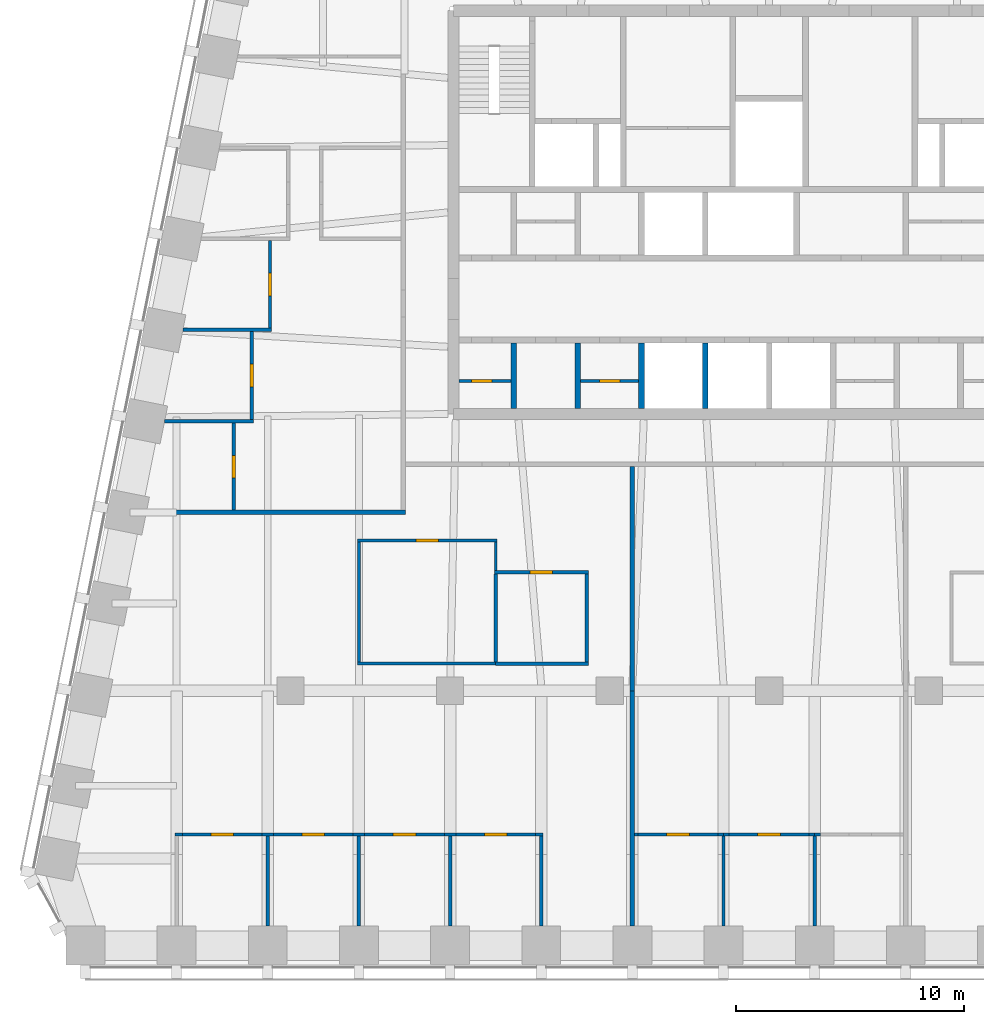
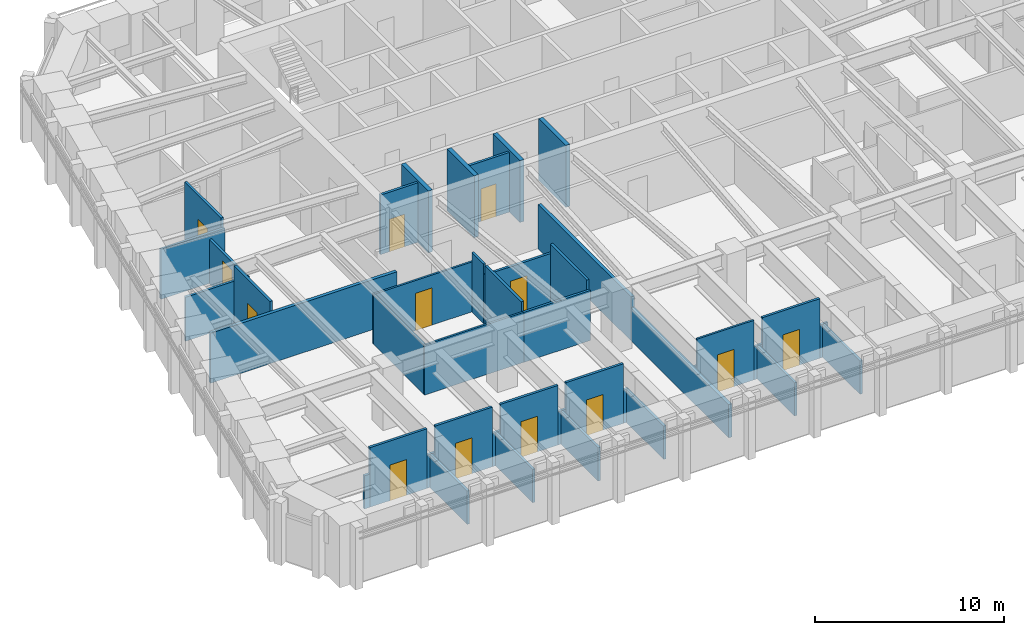
# One storey, part 6 of 12: 44 walls, 13 doors, 13 openings.
"""IFC4 building model written with IfcOpenShell, lengths in metres."""

from ifc_helpers import new_model, si_unit, direction, frame, frame_2d, origin, place, context, subcontext, project, spatial, rectangle, extrude, material, layer, layer_set, type_object, element, fill, save


model = new_model("IFC4")

# Units and contexts
model_context = context("Model", 3, precision=1e-05, world=origin(), true_north=direction((0.0, 1.0)))
body_context = subcontext(model_context, "Body", "Model", "MODEL_VIEW")
ifc_project = project(units=[si_unit("LENGTHUNIT", "METRE"), si_unit("AREAUNIT", "SQUARE_METRE"), si_unit("VOLUMEUNIT", "CUBIC_METRE"), si_unit("PLANEANGLEUNIT", "RADIAN"), si_unit("MASSUNIT", "GRAM", prefix="KILO")], contexts=[model_context])

# Site, building, storey
site_placement = place(None, origin())
site = spatial("IfcSite", under=ifc_project, at=site_placement, CompositionType="ELEMENT")
building_placement = place(site_placement, origin())
building = spatial("IfcBuilding", under=site, at=building_placement, Name="Isbrekke Arena Tower", CompositionType="ELEMENT")
storey_placement = place(building_placement, frame((0.0, 0.0, 256.0)))
storey = spatial("IfcBuildingStorey", under=building, at=storey_placement, Name="L59", CompositionType="ELEMENT", Elevation=256.0)

# Walls
ifc_material_1 = material(Name="Concrete B45 (C45/55)", Category="concrete")
ifc_layer_1 = layer(ifc_material_1, 0.25)
ifc_layer_set_1 = layer_set([ifc_layer_1], Name="CW6 SHAFT WALL 250")
wall_type_1 = type_object("IfcWallType", Name="CW6 SHAFT WALL 250", PredefinedType="SHEAR", material=ifc_layer_set_1)
for number, where, z_axis, x_axis, name in (
    (1, (-11.199951171875, 6.39990234375, 0.0), (0.0, 0.0, 1.0), (0.0, 1.0, 0.0), "Core wall SS01 L59"),
    (2, (-8.39990234375, 6.39990234375, 0.0), (0.0, 0.0, 1.0), (0.0, 1.0, 0.0), "Core wall SS02 L59"),
    (3, (-5.60009765625, 6.39990234375, 0.0), (0.0, 0.0, 1.0), (0.0, 1.0, 0.0), "Core wall SS03 L59"),
    (4, (-2.800048828125, 6.39990234375, 0.0), (0.0, 0.0, 1.0), (0.0, 1.0, 0.0), "Core wall SS04 L59"),
):
    element("IfcWall", number, at=place(storey_placement, frame(where, z_axis=z_axis, x_axis=x_axis)), inside=storey, type_object=wall_type_1, Name=name, PredefinedType="SHEAR", context=body_context, shape_type="SweptSolid", body=[
        extrude(rectangle(XDim=2.875, YDim=0.25, at=frame_2d((1.4375, 0.0))), origin(), (0.0, 0.0, 1.0), 4.0),
    ])
ifc_material_2 = material(Name="Gypsum board partition on steel studs", Category="steel")
ifc_layer_2 = layer(ifc_material_2, 0.14990234375)
ifc_layer_set_2 = layer_set([ifc_layer_2], Name="IW1 PARTITION 150")
wall_type_2 = type_object("IfcWallType", Name="IW1 PARTITION 150", PredefinedType="PARTITIONING", material=ifc_layer_set_2)
wall_1_placement = place(storey_placement, frame((-26.074951171875, -12.300048828125, 0.0), z_axis=(0.0, 0.0, 1.0), x_axis=(1.0, 0.0, 0.0)))
element("IfcWall", 5, at=wall_1_placement, inside=storey, type_object=wall_type_2, Name="IW1 partition 150 L59", PredefinedType="PARTITIONING", context=body_context, shape_type="SweptSolid", body=[
    extrude(rectangle(XDim=0.324951171875, YDim=0.14990234375, at=frame_2d((0.16259765625, 0.0))), origin(), (0.0, 0.0, 1.0), 2.14990234375),
])

# Wall, opening, door
wall_2_placement = place(storey_placement, frame((-25.75, -12.300048828125, 0.0), z_axis=(0.0, 0.0, 1.0), x_axis=(1.0, 0.0, 0.0)))
wall_2 = element("IfcWall", 6, at=wall_2_placement, inside=storey, type_object=wall_type_2, Name="IW1 partition 150 L59", PredefinedType="PARTITIONING", context=body_context, shape_type="SweptSolid", body=[
    extrude(rectangle(XDim=3.5, YDim=0.14990234375, at=frame_2d((1.75, 0.0))), origin(), (0.0, 0.0, 1.0), 3.85009765625),
])
opening_1_placement = place(wall_2_placement, frame((1.25, 0.0, 0.0)))
opening_1 = element("IfcOpeningElement", 7, at=opening_1_placement, cuts=wall_2, Name="Opening D10", PredefinedType="OPENING", context=body_context, shape_type="SweptSolid", body=[
    extrude(rectangle(XDim=1.0, YDim=2.300048828125, at=frame_2d((0.5, 1.14990234375))), frame((0.0, 0.08984375, 0.0), z_axis=(0.0, -1.0, 0.0), x_axis=(1.0, 0.0, 0.0)), (0.0, 0.0, 1.0), 0.1796875),
])
ifc_material_3 = material(Name="Timber door", Category="wood")
door_type_1 = type_object("IfcDoorType", Name="D10 OFFICE DOOR 1000 x 2300", OperationType="SINGLE_SWING_LEFT", PredefinedType="DOOR", material=ifc_material_3)
door_1_placement = place(opening_1_placement, origin())
door_1 = element("IfcDoor", 8, at=door_1_placement, inside=storey, type_object=door_type_1, Name="D10 office door L59", OperationType="SINGLE_SWING_LEFT", OverallHeight=2.300048828125, OverallWidth=1.0, PredefinedType="DOOR", context=body_context, shape_type="SweptSolid", body=[
    extrude(rectangle(XDim=1.0, YDim=2.300048828125, at=frame_2d((0.5, 1.14990234375))), frame((0.0, 0.07470703125, 0.0), z_axis=(0.0, -1.0, 0.0), x_axis=(1.0, 0.0, 0.0)), (0.0, 0.0, 1.0), 0.1494140625),
])
fill(opening_1, door_1)

# Wall
wall_3_placement = place(storey_placement, frame((-22.25, -12.300048828125, 0.0), z_axis=(0.0, 0.0, 1.0), x_axis=(1.0, 0.0, 0.0)))
element("IfcWall", 9, at=wall_3_placement, inside=storey, type_object=wall_type_2, Name="IW1 partition 150 L59", PredefinedType="PARTITIONING", context=body_context, shape_type="SweptSolid", body=[
    extrude(rectangle(XDim=0.5, YDim=0.14990234375, at=frame_2d((0.25, 0.0))), origin(), (0.0, 0.0, 1.0), 2.14990234375),
])

# Wall, opening, door
wall_4_placement = place(storey_placement, frame((-21.75, -12.300048828125, 0.0), z_axis=(0.0, 0.0, 1.0), x_axis=(1.0, 0.0, 0.0)))
wall_4 = element("IfcWall", 10, at=wall_4_placement, inside=storey, type_object=wall_type_2, Name="IW1 partition 150 L59", PredefinedType="PARTITIONING", context=body_context, shape_type="SweptSolid", body=[
    extrude(rectangle(XDim=3.5, YDim=0.14990234375, at=frame_2d((1.75, 0.0))), origin(), (0.0, 0.0, 1.0), 3.85009765625),
])
opening_2_placement = place(wall_4_placement, frame((1.25, 0.0, 0.0)))
opening_2 = element("IfcOpeningElement", 11, at=opening_2_placement, cuts=wall_4, Name="Opening D10", PredefinedType="OPENING", context=body_context, shape_type="SweptSolid", body=[
    extrude(rectangle(XDim=1.0, YDim=2.300048828125, at=frame_2d((0.5, 1.14990234375))), frame((0.0, 0.08984375, 0.0), z_axis=(0.0, -1.0, 0.0), x_axis=(1.0, 0.0, 0.0)), (0.0, 0.0, 1.0), 0.1796875),
])
door_2_placement = place(opening_2_placement, origin())
door_2 = element("IfcDoor", 12, at=door_2_placement, inside=storey, type_object=door_type_1, Name="D10 office door L59", OperationType="SINGLE_SWING_LEFT", OverallHeight=2.300048828125, OverallWidth=1.0, PredefinedType="DOOR", context=body_context, shape_type="SweptSolid", body=[
    extrude(rectangle(XDim=1.0, YDim=2.300048828125, at=frame_2d((0.5, 1.14990234375))), frame((0.0, 0.07470703125, 0.0), z_axis=(0.0, -1.0, 0.0), x_axis=(1.0, 0.0, 0.0)), (0.0, 0.0, 1.0), 0.1494140625),
])
fill(opening_2, door_2)

# Wall
wall_5_placement = place(storey_placement, frame((-18.25, -12.300048828125, 0.0), z_axis=(0.0, 0.0, 1.0), x_axis=(1.0, 0.0, 0.0)))
element("IfcWall", 13, at=wall_5_placement, inside=storey, type_object=wall_type_2, Name="IW1 partition 150 L59", PredefinedType="PARTITIONING", context=body_context, shape_type="SweptSolid", body=[
    extrude(rectangle(XDim=0.5, YDim=0.14990234375, at=frame_2d((0.25, 0.0))), origin(), (0.0, 0.0, 1.0), 2.14990234375),
])

# Wall, opening, door
wall_6_placement = place(storey_placement, frame((-17.75, -12.300048828125, 0.0), z_axis=(0.0, 0.0, 1.0), x_axis=(1.0, 0.0, 0.0)))
wall_6 = element("IfcWall", 14, at=wall_6_placement, inside=storey, type_object=wall_type_2, Name="IW1 partition 150 L59", PredefinedType="PARTITIONING", context=body_context, shape_type="SweptSolid", body=[
    extrude(rectangle(XDim=3.5, YDim=0.14990234375, at=frame_2d((1.75, 0.0))), origin(), (0.0, 0.0, 1.0), 3.85009765625),
])
opening_3_placement = place(wall_6_placement, frame((1.25, 0.0, 0.0)))
opening_3 = element("IfcOpeningElement", 15, at=opening_3_placement, cuts=wall_6, Name="Opening D10", PredefinedType="OPENING", context=body_context, shape_type="SweptSolid", body=[
    extrude(rectangle(XDim=1.0, YDim=2.300048828125, at=frame_2d((0.5, 1.14990234375))), frame((0.0, 0.08984375, 0.0), z_axis=(0.0, -1.0, 0.0), x_axis=(1.0, 0.0, 0.0)), (0.0, 0.0, 1.0), 0.1796875),
])
door_3_placement = place(opening_3_placement, origin())
door_3 = element("IfcDoor", 16, at=door_3_placement, inside=storey, type_object=door_type_1, Name="D10 office door L59", OperationType="SINGLE_SWING_LEFT", OverallHeight=2.300048828125, OverallWidth=1.0, PredefinedType="DOOR", context=body_context, shape_type="SweptSolid", body=[
    extrude(rectangle(XDim=1.0, YDim=2.300048828125, at=frame_2d((0.5, 1.14990234375))), frame((0.0, 0.07470703125, 0.0), z_axis=(0.0, -1.0, 0.0), x_axis=(1.0, 0.0, 0.0)), (0.0, 0.0, 1.0), 0.1494140625),
])
fill(opening_3, door_3)

# Wall
wall_7_placement = place(storey_placement, frame((-14.25, -12.300048828125, 0.0), z_axis=(0.0, 0.0, 1.0), x_axis=(1.0, 0.0, 0.0)))
element("IfcWall", 17, at=wall_7_placement, inside=storey, type_object=wall_type_2, Name="IW1 partition 150 L59", PredefinedType="PARTITIONING", context=body_context, shape_type="SweptSolid", body=[
    extrude(rectangle(XDim=0.5, YDim=0.14990234375, at=frame_2d((0.25, 0.0))), origin(), (0.0, 0.0, 1.0), 2.14990234375),
])

# Wall, opening, door
wall_8_placement = place(storey_placement, frame((-13.75, -12.300048828125, 0.0), z_axis=(0.0, 0.0, 1.0), x_axis=(1.0, 0.0, 0.0)))
wall_8 = element("IfcWall", 18, at=wall_8_placement, inside=storey, type_object=wall_type_2, Name="IW1 partition 150 L59", PredefinedType="PARTITIONING", context=body_context, shape_type="SweptSolid", body=[
    extrude(rectangle(XDim=3.5, YDim=0.14990234375, at=frame_2d((1.75, 0.0))), origin(), (0.0, 0.0, 1.0), 3.85009765625),
])
opening_4_placement = place(wall_8_placement, frame((1.25, 0.0, 0.0)))
opening_4 = element("IfcOpeningElement", 19, at=opening_4_placement, cuts=wall_8, Name="Opening D10", PredefinedType="OPENING", context=body_context, shape_type="SweptSolid", body=[
    extrude(rectangle(XDim=1.0, YDim=2.300048828125, at=frame_2d((0.5, 1.14990234375))), frame((0.0, 0.08984375, 0.0), z_axis=(0.0, -1.0, 0.0), x_axis=(1.0, 0.0, 0.0)), (0.0, 0.0, 1.0), 0.1796875),
])
door_4_placement = place(opening_4_placement, origin())
door_4 = element("IfcDoor", 20, at=door_4_placement, inside=storey, type_object=door_type_1, Name="D10 office door L59", OperationType="SINGLE_SWING_LEFT", OverallHeight=2.300048828125, OverallWidth=1.0, PredefinedType="DOOR", context=body_context, shape_type="SweptSolid", body=[
    extrude(rectangle(XDim=1.0, YDim=2.300048828125, at=frame_2d((0.5, 1.14990234375))), frame((0.0, 0.07470703125, 0.0), z_axis=(0.0, -1.0, 0.0), x_axis=(1.0, 0.0, 0.0)), (0.0, 0.0, 1.0), 0.1494140625),
])
fill(opening_4, door_4)

# Walls
wall_9_placement = place(storey_placement, frame((-10.25, -12.300048828125, 0.0), z_axis=(0.0, 0.0, 1.0), x_axis=(1.0, 0.0, 0.0)))
element("IfcWall", 21, at=wall_9_placement, inside=storey, type_object=wall_type_2, Name="IW1 partition 150 L59", PredefinedType="PARTITIONING", context=body_context, shape_type="SweptSolid", body=[
    extrude(rectangle(XDim=0.324951171875, YDim=0.14990234375, at=frame_2d((0.16259765625, 0.0))), origin(), (0.0, 0.0, 1.0), 2.14990234375),
])
wall_10_placement = place(storey_placement, frame((-2.0, -12.300048828125, 0.0), z_axis=(0.0, 0.0, 1.0), x_axis=(1.0, 0.0, 0.0)))
element("IfcWall", 22, at=wall_10_placement, inside=storey, type_object=wall_type_2, Name="IW1 partition 150 L59", PredefinedType="PARTITIONING", context=body_context, shape_type="SweptSolid", body=[
    extrude(rectangle(XDim=0.25, YDim=0.14990234375, at=frame_2d((0.125, 0.0))), origin(), (0.0, 0.0, 1.0), 2.14990234375),
])

# Wall, opening, door
wall_11_placement = place(storey_placement, frame((-1.75, -12.300048828125, 0.0), z_axis=(0.0, 0.0, 1.0), x_axis=(1.0, 0.0, 0.0)))
wall_11 = element("IfcWall", 23, at=wall_11_placement, inside=storey, type_object=wall_type_2, Name="IW1 partition 150 L59", PredefinedType="PARTITIONING", context=body_context, shape_type="SweptSolid", body=[
    extrude(rectangle(XDim=3.5, YDim=0.14990234375, at=frame_2d((1.75, 0.0))), origin(), (0.0, 0.0, 1.0), 3.85009765625),
])
opening_5_placement = place(wall_11_placement, frame((1.25, 0.0, 0.0)))
opening_5 = element("IfcOpeningElement", 24, at=opening_5_placement, cuts=wall_11, Name="Opening D10", PredefinedType="OPENING", context=body_context, shape_type="SweptSolid", body=[
    extrude(rectangle(XDim=1.0, YDim=2.300048828125, at=frame_2d((0.5, 1.14990234375))), frame((0.0, 0.08984375, 0.0), z_axis=(0.0, -1.0, 0.0), x_axis=(1.0, 0.0, 0.0)), (0.0, 0.0, 1.0), 0.1796875),
])
door_5_placement = place(opening_5_placement, origin())
door_5 = element("IfcDoor", 25, at=door_5_placement, inside=storey, type_object=door_type_1, Name="D10 pantry door L59", OperationType="SINGLE_SWING_LEFT", OverallHeight=2.300048828125, OverallWidth=1.0, PredefinedType="DOOR", context=body_context, shape_type="SweptSolid", body=[
    extrude(rectangle(XDim=1.0, YDim=2.300048828125, at=frame_2d((0.5, 1.14990234375))), frame((0.0, 0.07470703125, 0.0), z_axis=(0.0, -1.0, 0.0), x_axis=(1.0, 0.0, 0.0)), (0.0, 0.0, 1.0), 0.1494140625),
])
fill(opening_5, door_5)

# Walls
wall_12_placement = place(storey_placement, frame((1.75, -12.300048828125, 0.0), z_axis=(0.0, 0.0, 1.0), x_axis=(1.0, 0.0, 0.0)))
element("IfcWall", 26, at=wall_12_placement, inside=storey, type_object=wall_type_2, Name="IW1 partition 150 L59", PredefinedType="PARTITIONING", context=body_context, shape_type="SweptSolid", body=[
    extrude(rectangle(XDim=0.25, YDim=0.14990234375, at=frame_2d((0.125, 0.0))), origin(), (0.0, 0.0, 1.0), 2.14990234375),
])
wall_13_placement = place(storey_placement, frame((-12.0, -4.800048828125, 0.0), z_axis=(0.0, 0.0, 1.0), x_axis=(1.0, 0.0, 0.0)))
element("IfcWall", 27, at=wall_13_placement, inside=storey, type_object=wall_type_2, Name="IW1 partition 150 L59", PredefinedType="PARTITIONING", context=body_context, shape_type="SweptSolid", body=[
    extrude(rectangle(XDim=4.074951171875, YDim=0.14990234375, at=frame_2d((2.03759765625, 0.0))), origin(), (0.0, 0.0, 1.0), 3.22998046875),
])

# Wall, opening, door
wall_14_placement = place(storey_placement, frame((-12.06005859375, -0.800048828125, 0.0), z_axis=(0.0, 0.0, 1.0), x_axis=(1.0, 0.0, 0.0)))
wall_14 = element("IfcWall", 28, at=wall_14_placement, inside=storey, type_object=wall_type_2, Name="IW1 partition 150 L59", PredefinedType="PARTITIONING", context=body_context, shape_type="SweptSolid", body=[
    extrude(rectangle(XDim=4.135009765625, YDim=0.14990234375, at=frame_2d((2.0673828125, 0.0))), origin(), (0.0, 0.0, 1.0), 3.22998046875),
])
opening_6_placement = place(wall_14_placement, frame((1.56005859375, 0.0, 0.0)))
opening_6 = element("IfcOpeningElement", 29, at=opening_6_placement, cuts=wall_14, Name="Opening D10", PredefinedType="OPENING", context=body_context, shape_type="SweptSolid", body=[
    extrude(rectangle(XDim=1.0, YDim=2.300048828125, at=frame_2d((0.5, 1.14990234375))), frame((0.0, 0.08984375, 0.0), z_axis=(0.0, -1.0, 0.0), x_axis=(1.0, 0.0, 0.0)), (0.0, 0.0, 1.0), 0.1796875),
])
door_6_placement = place(opening_6_placement, origin())
door_6 = element("IfcDoor", 30, at=door_6_placement, inside=storey, type_object=door_type_1, Name="D10 tea point door L59", OperationType="SINGLE_SWING_LEFT", OverallHeight=2.300048828125, OverallWidth=1.0, PredefinedType="DOOR", context=body_context, shape_type="SweptSolid", body=[
    extrude(rectangle(XDim=1.0, YDim=2.300048828125, at=frame_2d((0.5, 1.14990234375))), frame((0.0, 0.07470703125, 0.0), z_axis=(0.0, -1.0, 0.0), x_axis=(1.0, 0.0, 0.0)), (0.0, 0.0, 1.0), 0.1494140625),
])
fill(opening_6, door_6)

# Walls
wall_15_placement = place(storey_placement, frame((-26.523681640625, 5.840087890625, 0.0), z_axis=(0.0, 0.0, 1.0), x_axis=(1.0, 0.0, 0.0)))
element("IfcWall", 31, at=wall_15_placement, inside=storey, type_object=wall_type_2, Name="IW1 partition 150 L59", PredefinedType="PARTITIONING", context=body_context, shape_type="SweptSolid", body=[
    extrude(rectangle(XDim=3.898681640625, YDim=0.14990234375, at=frame_2d((1.94921875, 0.0))), origin(), (0.0, 0.0, 1.0), 2.842041015625),
])
wall_16_placement = place(storey_placement, frame((-25.723876953125, 9.840087890625, 0.0), z_axis=(0.0, 0.0, 1.0), x_axis=(1.0, 0.0, 0.0)))
element("IfcWall", 32, at=wall_16_placement, inside=storey, type_object=wall_type_2, Name="IW1 partition 150 L59", PredefinedType="PARTITIONING", context=body_context, shape_type="SweptSolid", body=[
    extrude(rectangle(XDim=3.89892578125, YDim=0.14990234375, at=frame_2d((1.949462890625, 0.0))), origin(), (0.0, 0.0, 1.0), 3.22998046875),
])

# Wall, opening, door
wall_17_placement = place(storey_placement, frame((-23.5, 1.93994140625, 0.0), z_axis=(0.0, 0.0, 1.0), x_axis=(0.0, 1.0, 0.0)))
wall_17 = element("IfcWall", 33, at=wall_17_placement, inside=storey, type_object=wall_type_2, Name="IW1 partition 150 L59", PredefinedType="PARTITIONING", context=body_context, shape_type="SweptSolid", body=[
    extrude(rectangle(XDim=3.824951171875, YDim=0.14990234375, at=frame_2d((1.91259765625, 0.0))), origin(), (0.0, 0.0, 1.0), 3.85009765625),
])
opening_7_placement = place(wall_17_placement, frame((1.39990234375, 0.0, 0.0)))
opening_7 = element("IfcOpeningElement", 34, at=opening_7_placement, cuts=wall_17, Name="Opening D10", PredefinedType="OPENING", context=body_context, shape_type="SweptSolid", body=[
    extrude(rectangle(XDim=1.0, YDim=2.300048828125, at=frame_2d((0.5, 1.14990234375))), frame((0.0, 0.08984375, 0.0), z_axis=(0.0, -1.0, 0.0), x_axis=(1.0, 0.0, 0.0)), (0.0, 0.0, 1.0), 0.1796875),
])
door_7_placement = place(opening_7_placement, origin())
door_7 = element("IfcDoor", 35, at=door_7_placement, inside=storey, type_object=door_type_1, Name="D10 office door L59", OperationType="SINGLE_SWING_LEFT", OverallHeight=2.300048828125, OverallWidth=1.0, PredefinedType="DOOR", context=body_context, shape_type="SweptSolid", body=[
    extrude(rectangle(XDim=1.0, YDim=2.300048828125, at=frame_2d((0.5, 1.14990234375))), frame((0.0, 0.07470703125, 0.0), z_axis=(0.0, -1.0, 0.0), x_axis=(1.0, 0.0, 0.0)), (0.0, 0.0, 1.0), 0.1494140625),
])
fill(opening_7, door_7)

wall_18_placement = place(storey_placement, frame((-22.699951171875, 5.9150390625, 0.0), z_axis=(0.0, 0.0, 1.0), x_axis=(0.0, 1.0, 0.0)))
wall_18 = element("IfcWall", 36, at=wall_18_placement, inside=storey, type_object=wall_type_2, Name="IW1 partition 150 L59", PredefinedType="PARTITIONING", context=body_context, shape_type="SweptSolid", body=[
    extrude(rectangle(XDim=3.849853515625, YDim=0.14990234375, at=frame_2d((1.9248046875, 0.0))), origin(), (0.0, 0.0, 1.0), 2.842041015625),
])
opening_8_placement = place(wall_18_placement, frame((1.425048828125, 0.0, 0.0)))
opening_8 = element("IfcOpeningElement", 37, at=opening_8_placement, cuts=wall_18, Name="Opening D10", PredefinedType="OPENING", context=body_context, shape_type="SweptSolid", body=[
    extrude(rectangle(XDim=1.0, YDim=2.300048828125, at=frame_2d((0.5, 1.14990234375))), frame((0.0, 0.08984375, 0.0), z_axis=(0.0, -1.0, 0.0), x_axis=(1.0, 0.0, 0.0)), (0.0, 0.0, 1.0), 0.1796875),
])
door_8_placement = place(opening_8_placement, origin())
door_8 = element("IfcDoor", 38, at=door_8_placement, inside=storey, type_object=door_type_1, Name="D10 office door L59", OperationType="SINGLE_SWING_LEFT", OverallHeight=2.300048828125, OverallWidth=1.0, PredefinedType="DOOR", context=body_context, shape_type="SweptSolid", body=[
    extrude(rectangle(XDim=1.0, YDim=2.300048828125, at=frame_2d((0.5, 1.14990234375))), frame((0.0, 0.07470703125, 0.0), z_axis=(0.0, -1.0, 0.0), x_axis=(1.0, 0.0, 0.0)), (0.0, 0.0, 1.0), 0.1494140625),
])
fill(opening_8, door_8)

# Wall
wall_19_placement = place(storey_placement, frame((-22.0, -16.324951171875, 0.0), z_axis=(0.0, 0.0, 1.0), x_axis=(0.0, 1.0, 0.0)))
element("IfcWall", 39, at=wall_19_placement, inside=storey, type_object=wall_type_2, Name="IW1 partition 150 L59", PredefinedType="PARTITIONING", context=body_context, shape_type="SweptSolid", body=[
    extrude(rectangle(XDim=3.949951171875, YDim=0.14990234375, at=frame_2d((1.97509765625, 0.0))), origin(), (0.0, 0.0, 1.0), 2.14990234375),
])

# Wall, opening, door
wall_20_placement = place(storey_placement, frame((-21.89990234375, 9.9150390625, 0.0), z_axis=(0.0, 0.0, 1.0), x_axis=(0.0, 1.0, 0.0)))
wall_20 = element("IfcWall", 40, at=wall_20_placement, inside=storey, type_object=wall_type_2, Name="IW1 partition 150 L59", PredefinedType="PARTITIONING", context=body_context, shape_type="SweptSolid", body=[
    extrude(rectangle(XDim=3.849853515625, YDim=0.14990234375, at=frame_2d((1.9248046875, 0.0))), origin(), (0.0, 0.0, 1.0), 3.85009765625),
])
opening_9_placement = place(wall_20_placement, frame((1.425048828125, 0.0, 0.0)))
opening_9 = element("IfcOpeningElement", 41, at=opening_9_placement, cuts=wall_20, Name="Opening D10", PredefinedType="OPENING", context=body_context, shape_type="SweptSolid", body=[
    extrude(rectangle(XDim=1.0, YDim=2.300048828125, at=frame_2d((0.5, 1.14990234375))), frame((0.0, 0.08984375, 0.0), z_axis=(0.0, -1.0, 0.0), x_axis=(1.0, 0.0, 0.0)), (0.0, 0.0, 1.0), 0.1796875),
])
door_9_placement = place(opening_9_placement, origin())
door_9 = element("IfcDoor", 42, at=door_9_placement, inside=storey, type_object=door_type_1, Name="D10 office door L59", OperationType="SINGLE_SWING_LEFT", OverallHeight=2.300048828125, OverallWidth=1.0, PredefinedType="DOOR", context=body_context, shape_type="SweptSolid", body=[
    extrude(rectangle(XDim=1.0, YDim=2.300048828125, at=frame_2d((0.5, 1.14990234375))), frame((0.0, 0.07470703125, 0.0), z_axis=(0.0, -1.0, 0.0), x_axis=(1.0, 0.0, 0.0)), (0.0, 0.0, 1.0), 0.1494140625),
])
fill(opening_9, door_9)

# Walls
for number, where, z_axis, x_axis, name in (
    (43, (-18.0, -16.324951171875, 0.0), (0.0, 0.0, 1.0), (0.0, 1.0, 0.0), "IW1 partition 150 L59"),
    (44, (-14.0, -16.324951171875, 0.0), (0.0, 0.0, 1.0), (0.0, 1.0, 0.0), "IW1 partition 150 L59"),
):
    element("IfcWall", number, at=place(storey_placement, frame(where, z_axis=z_axis, x_axis=x_axis)), inside=storey, type_object=wall_type_2, Name=name, PredefinedType="PARTITIONING", context=body_context, shape_type="SweptSolid", body=[
        extrude(rectangle(XDim=3.949951171875, YDim=0.14990234375, at=frame_2d((1.97509765625, 0.0))), origin(), (0.0, 0.0, 1.0), 2.14990234375),
    ])
wall_21_placement = place(storey_placement, frame((-12.0, -4.72509765625, 0.0), z_axis=(0.0, 0.0, 1.0), x_axis=(0.0, 1.0, 0.0)))
element("IfcWall", 45, at=wall_21_placement, inside=storey, type_object=wall_type_2, Name="IW1 partition 150 L59", PredefinedType="PARTITIONING", context=body_context, shape_type="SweptSolid", body=[
    extrude(rectangle(XDim=3.85009765625, YDim=0.14990234375, at=frame_2d((1.925048828125, 0.0))), origin(), (0.0, 0.0, 1.0), 3.85009765625),
])
wall_22_placement = place(storey_placement, frame((-10.0, -16.324951171875, 0.0), z_axis=(0.0, 0.0, 1.0), x_axis=(0.0, 1.0, 0.0)))
element("IfcWall", 46, at=wall_22_placement, inside=storey, type_object=wall_type_2, Name="IW1 partition 150 L59", PredefinedType="PARTITIONING", context=body_context, shape_type="SweptSolid", body=[
    extrude(rectangle(XDim=3.949951171875, YDim=0.14990234375, at=frame_2d((1.97509765625, 0.0))), origin(), (0.0, 0.0, 1.0), 2.14990234375),
])
wall_23_placement = place(storey_placement, frame((-8.0, -4.72509765625, 0.0), z_axis=(0.0, 0.0, 1.0), x_axis=(0.0, 1.0, 0.0)))
element("IfcWall", 47, at=wall_23_placement, inside=storey, type_object=wall_type_2, Name="IW1 partition 150 L59", PredefinedType="PARTITIONING", context=body_context, shape_type="SweptSolid", body=[
    extrude(rectangle(XDim=3.85009765625, YDim=0.14990234375, at=frame_2d((1.925048828125, 0.0))), origin(), (0.0, 0.0, 1.0), 3.85009765625),
])
for number, where, z_axis, x_axis, name in (
    (48, (-2.0, -16.324951171875, 0.0), (0.0, 0.0, 1.0), (0.0, 1.0, 0.0), "IW1 partition 150 L59"),
    (49, (2.0, -16.324951171875, 0.0), (0.0, 0.0, 1.0), (0.0, 1.0, 0.0), "IW1 partition 150 L59"),
):
    element("IfcWall", number, at=place(storey_placement, frame(where, z_axis=z_axis, x_axis=x_axis)), inside=storey, type_object=wall_type_2, Name=name, PredefinedType="PARTITIONING", context=body_context, shape_type="SweptSolid", body=[
        extrude(rectangle(XDim=3.949951171875, YDim=0.14990234375, at=frame_2d((1.97509765625, 0.0))), origin(), (0.0, 0.0, 1.0), 2.14990234375),
    ])
ifc_material_4 = material(Name="Frameless glazed partition, laminated acoustic glass", Category="glass")
ifc_layer_3 = layer(ifc_material_4, 0.1201171875)
ifc_layer_set_3 = layer_set([ifc_layer_3], Name="IW2 GLAZED PARTITION 120")
wall_type_3 = type_object("IfcWallType", Name="IW2 GLAZED PARTITION 120", PredefinedType="PARTITIONING", material=ifc_layer_set_3)
wall_24_placement = place(storey_placement, frame((-5.89990234375, -12.300048828125, 0.0), z_axis=(0.0, 0.0, 1.0), x_axis=(1.0, 0.0, 0.0)))
element("IfcWall", 50, at=wall_24_placement, inside=storey, type_object=wall_type_3, Name="IW2 glazed partition 120 L59", PredefinedType="PARTITIONING", context=body_context, shape_type="SweptSolid", body=[
    extrude(rectangle(XDim=0.14990234375, YDim=0.1201171875, at=frame_2d((0.074951171875, 0.0))), origin(), (0.0, 0.0, 1.0), 2.14990234375),
])

# Wall, opening, door
wall_25_placement = place(storey_placement, frame((-5.75, -12.300048828125, 0.0), z_axis=(0.0, 0.0, 1.0), x_axis=(1.0, 0.0, 0.0)))
wall_25 = element("IfcWall", 51, at=wall_25_placement, inside=storey, type_object=wall_type_3, Name="IW2 glazed partition 120 L59", PredefinedType="PARTITIONING", context=body_context, shape_type="SweptSolid", body=[
    extrude(rectangle(XDim=3.5, YDim=0.1201171875, at=frame_2d((1.75, 0.0))), origin(), (0.0, 0.0, 1.0), 3.85009765625),
])
opening_10_placement = place(wall_25_placement, frame((1.25, 0.0, 0.0)))
opening_10 = element("IfcOpeningElement", 52, at=opening_10_placement, cuts=wall_25, Name="Opening D11", PredefinedType="OPENING", context=body_context, shape_type="SweptSolid", body=[
    extrude(rectangle(XDim=1.0, YDim=2.39990234375, at=frame_2d((0.5, 1.199951171875))), frame((0.0, 0.074951171875, 0.0), z_axis=(0.0, -1.0, 0.0), x_axis=(1.0, 0.0, 0.0)), (0.0, 0.0, 1.0), 0.14990234375),
])
ifc_material_5 = material(Name="Frameless glazed door", Category="glass")
door_type_2 = type_object("IfcDoorType", Name="D11 GLAZED MEETING ROOM DOOR 1000 x 2400", OperationType="SINGLE_SWING_RIGHT", PredefinedType="DOOR", material=ifc_material_5)
door_10_placement = place(opening_10_placement, origin())
door_10 = element("IfcDoor", 53, at=door_10_placement, inside=storey, type_object=door_type_2, Name="D11 meeting room door L59", OperationType="SINGLE_SWING_RIGHT", OverallHeight=2.39990234375, OverallWidth=1.0, PredefinedType="DOOR", context=body_context, shape_type="SweptSolid", body=[
    extrude(rectangle(XDim=1.0, YDim=2.39990234375, at=frame_2d((0.5, 1.199951171875))), frame((0.0, 0.059814453125, 0.0), z_axis=(0.0, -1.0, 0.0), x_axis=(1.0, 0.0, 0.0)), (0.0, 0.0, 1.0), 0.11962890625),
])
fill(opening_10, door_10)

# Walls
for number, where, z_axis, x_axis, name in (
    (54, (-2.25, -12.300048828125, 0.0), (0.0, 0.0, 1.0), (1.0, 0.0, 0.0), "IW2 glazed partition 120 L59"),
    (55, (2.0, -12.300048828125, 0.0), (0.0, 0.0, 1.0), (1.0, 0.0, 0.0), "IW2 glazed partition 120 L59"),
):
    element("IfcWall", number, at=place(storey_placement, frame(where, z_axis=z_axis, x_axis=x_axis)), inside=storey, type_object=wall_type_3, Name=name, PredefinedType="PARTITIONING", context=body_context, shape_type="SweptSolid", body=[
        extrude(rectangle(XDim=0.25, YDim=0.1201171875, at=frame_2d((0.125, 0.0))), origin(), (0.0, 0.0, 1.0), 2.14990234375),
    ])
wall_26_placement = place(storey_placement, frame((-18.06005859375, -4.800048828125, 0.0), z_axis=(0.0, 0.0, 1.0), x_axis=(1.0, 0.0, 0.0)))
element("IfcWall", 56, at=wall_26_placement, inside=storey, type_object=wall_type_3, Name="IW2 glazed partition 120 L59", PredefinedType="PARTITIONING", context=body_context, shape_type="SweptSolid", body=[
    extrude(rectangle(XDim=6.06005859375, YDim=0.1201171875, at=frame_2d((3.030029296875, 0.0))), origin(), (0.0, 0.0, 1.0), 3.22998046875),
])

# Wall, opening, door
wall_27_placement = place(storey_placement, frame((-18.06005859375, 0.60009765625, 0.0), z_axis=(0.0, 0.0, 1.0), x_axis=(1.0, 0.0, 0.0)))
wall_27 = element("IfcWall", 57, at=wall_27_placement, inside=storey, type_object=wall_type_3, Name="IW2 glazed partition 120 L59", PredefinedType="PARTITIONING", context=body_context, shape_type="SweptSolid", body=[
    extrude(rectangle(XDim=6.1201171875, YDim=0.1201171875, at=frame_2d((3.06005859375, 0.0))), origin(), (0.0, 0.0, 1.0), 3.22998046875),
])
opening_11_placement = place(wall_27_placement, frame((2.56005859375, 0.0, 0.0)))
opening_11 = element("IfcOpeningElement", 58, at=opening_11_placement, cuts=wall_27, Name="Opening D11", PredefinedType="OPENING", context=body_context, shape_type="SweptSolid", body=[
    extrude(rectangle(XDim=1.0, YDim=2.39990234375, at=frame_2d((0.5, 1.199951171875))), frame((0.0, 0.074951171875, 0.0), z_axis=(0.0, -1.0, 0.0), x_axis=(1.0, 0.0, 0.0)), (0.0, 0.0, 1.0), 0.14990234375),
])
door_11_placement = place(opening_11_placement, origin())
door_11 = element("IfcDoor", 59, at=door_11_placement, inside=storey, type_object=door_type_2, Name="D11 meeting room door L59", OperationType="SINGLE_SWING_RIGHT", OverallHeight=2.39990234375, OverallWidth=1.0, PredefinedType="DOOR", context=body_context, shape_type="SweptSolid", body=[
    extrude(rectangle(XDim=1.0, YDim=2.39990234375, at=frame_2d((0.5, 1.199951171875))), frame((0.0, 0.059814453125, 0.0), z_axis=(0.0, -1.0, 0.0), x_axis=(1.0, 0.0, 0.0)), (0.0, 0.0, 1.0), 0.11962890625),
])
fill(opening_11, door_11)

# Walls
wall_28_placement = place(storey_placement, frame((-18.0, -4.739990234375, 0.0), z_axis=(0.0, 0.0, 1.0), x_axis=(0.0, 1.0, 0.0)))
element("IfcWall", 60, at=wall_28_placement, inside=storey, type_object=wall_type_3, Name="IW2 glazed partition 120 L59", PredefinedType="PARTITIONING", context=body_context, shape_type="SweptSolid", body=[
    extrude(rectangle(XDim=5.280029296875, YDim=0.1201171875, at=frame_2d((2.64013671875, 0.0))), origin(), (0.0, 0.0, 1.0), 3.22998046875),
])
wall_29_placement = place(storey_placement, frame((-12.0, -0.72509765625, 0.0), z_axis=(0.0, 0.0, 1.0), x_axis=(0.0, 1.0, 0.0)))
element("IfcWall", 61, at=wall_29_placement, inside=storey, type_object=wall_type_3, Name="IW2 glazed partition 120 L59", PredefinedType="PARTITIONING", context=body_context, shape_type="SweptSolid", body=[
    extrude(rectangle(XDim=1.26513671875, YDim=0.1201171875, at=frame_2d((0.632568359375, 0.0))), origin(), (0.0, 0.0, 1.0), 3.85009765625),
])
ifc_material_6 = material(Name="Gypsum board fire-cell wall on steel studs, two layers each side", Category="steel")
ifc_layer_4 = layer(ifc_material_6, 0.199951171875)
ifc_layer_set_4 = layer_set([ifc_layer_4], Name="IW3 FIRE-CELL WALL 200")
wall_type_4 = type_object("IfcWallType", Name="IW3 FIRE-CELL WALL 200", PredefinedType="PARTITIONING", material=ifc_layer_set_4)
wall_30_placement = place(storey_placement, frame((-27.32373046875, 1.840087890625, 0.0), z_axis=(0.0, 0.0, 1.0), x_axis=(1.0, 0.0, 0.0)))
element("IfcWall", 62, at=wall_30_placement, inside=storey, type_object=wall_type_4, Name="IW3 fire-cell wall 200 L59", PredefinedType="PARTITIONING", context=body_context, shape_type="SweptSolid", body=[
    extrude(rectangle(XDim=11.373779296875, YDim=0.199951171875, at=frame_2d((5.68701171875, 0.0))), origin(), (0.0, 0.0, 1.0), 3.22998046875),
])
wall_31_placement = place(storey_placement, frame((-6.0, -16.324951171875, 0.0), z_axis=(0.0, 0.0, 1.0), x_axis=(0.0, 1.0, 0.0)))
element("IfcWall", 63, at=wall_31_placement, inside=storey, type_object=wall_type_4, Name="IW3 fire-cell wall 200 L59", PredefinedType="PARTITIONING", context=body_context, shape_type="SweptSolid", body=[
    extrude(rectangle(XDim=10.324951171875, YDim=0.199951171875, at=frame_2d((5.16259765625, 0.0))), origin(), (0.0, 0.0, 1.0), 2.14990234375),
])
wall_32_placement = place(storey_placement, frame((-6.0, -6.0, 0.0), z_axis=(0.0, 0.0, 1.0), x_axis=(0.0, 1.0, 0.0)))
element("IfcWall", 64, at=wall_32_placement, inside=storey, type_object=wall_type_4, Name="IW3 fire-cell wall 200 L59", PredefinedType="PARTITIONING", context=body_context, shape_type="SweptSolid", body=[
    extrude(rectangle(XDim=9.85009765625, YDim=0.199951171875, at=frame_2d((4.925048828125, 0.0))), origin(), (0.0, 0.0, 1.0), 2.85009765625),
])

# Wall, opening, door
ifc_material_7 = material(Name="Gypsum board fire-rated partition on steel studs, two layers each side", Category="steel")
ifc_layer_5 = layer(ifc_material_7, 0.14990234375)
ifc_layer_set_5 = layer_set([ifc_layer_5], Name="IW5 FIRE-RATED PARTITION 150")
wall_type_5 = type_object("IfcWallType", Name="IW5 FIRE-RATED PARTITION 150", PredefinedType="PARTITIONING", material=ifc_layer_set_5)
wall_33_placement = place(storey_placement, frame((-13.60009765625, 7.60009765625, 0.0), z_axis=(0.0, 0.0, 1.0), x_axis=(1.0, 0.0, 0.0)))
wall_33 = element("IfcWall", 65, at=wall_33_placement, inside=storey, type_object=wall_type_5, Name="IW5 fire-rated partition L59 core service rooms 3", PredefinedType="PARTITIONING", context=body_context, shape_type="SweptSolid", body=[
    extrude(rectangle(XDim=2.275146484375, YDim=0.14990234375, at=frame_2d((1.1376953125, 0.0))), origin(), (0.0, 0.0, 1.0), 3.85009765625),
])
opening_12_placement = place(wall_33_placement, frame((0.550048828125, 0.0, 0.0)))
opening_12 = element("IfcOpeningElement", 66, at=opening_12_placement, cuts=wall_33, Name="Opening D5", PredefinedType="OPENING", context=body_context, shape_type="SweptSolid", body=[
    extrude(rectangle(XDim=0.89990234375, YDim=2.10009765625, at=frame_2d((0.449951171875, 1.050048828125))), frame((0.0, 0.08984375, 0.0), z_axis=(0.0, -1.0, 0.0), x_axis=(1.0, 0.0, 0.0)), (0.0, 0.0, 1.0), 0.1796875),
])
ifc_material_8 = material(Name="Steel fire door", Category="steel")
door_type_3 = type_object("IfcDoorType", Name="D5 SERVICE DOOR 900 x 2100", OperationType="SINGLE_SWING_LEFT", PredefinedType="DOOR", material=ifc_material_8)
door_12_placement = place(opening_12_placement, origin())
door_12 = element("IfcDoor", 67, at=door_12_placement, inside=storey, type_object=door_type_3, Name="D5 store door L59", OperationType="SINGLE_SWING_LEFT", OverallHeight=2.10009765625, OverallWidth=0.89990234375, PredefinedType="DOOR", context=body_context, shape_type="SweptSolid", body=[
    extrude(rectangle(XDim=0.89990234375, YDim=2.10009765625, at=frame_2d((0.449951171875, 1.050048828125))), frame((0.0, 0.07470703125, 0.0), z_axis=(0.0, -1.0, 0.0), x_axis=(1.0, 0.0, 0.0)), (0.0, 0.0, 1.0), 0.1494140625),
])
fill(opening_12, door_12)

wall_34_placement = place(storey_placement, frame((-8.27490234375, 7.60009765625, 0.0), z_axis=(0.0, 0.0, 1.0), x_axis=(1.0, 0.0, 0.0)))
wall_34 = element("IfcWall", 68, at=wall_34_placement, inside=storey, type_object=wall_type_5, Name="IW5 fire-rated partition L59 core service rooms 4", PredefinedType="PARTITIONING", context=body_context, shape_type="SweptSolid", body=[
    extrude(rectangle(XDim=2.5498046875, YDim=0.14990234375, at=frame_2d((1.27490234375, 0.0))), origin(), (0.0, 0.0, 1.0), 3.85009765625),
])
opening_13_placement = place(wall_34_placement, frame((0.824951171875, 0.0, 0.0)))
opening_13 = element("IfcOpeningElement", 69, at=opening_13_placement, cuts=wall_34, Name="Opening D5", PredefinedType="OPENING", context=body_context, shape_type="SweptSolid", body=[
    extrude(rectangle(XDim=0.89990234375, YDim=2.10009765625, at=frame_2d((0.449951171875, 1.050048828125))), frame((0.0, 0.08984375, 0.0), z_axis=(0.0, -1.0, 0.0), x_axis=(1.0, 0.0, 0.0)), (0.0, 0.0, 1.0), 0.1796875),
])
door_13_placement = place(opening_13_placement, origin())
door_13 = element("IfcDoor", 70, at=door_13_placement, inside=storey, type_object=door_type_3, Name="D5 archive door L59", OperationType="SINGLE_SWING_LEFT", OverallHeight=2.10009765625, OverallWidth=0.89990234375, PredefinedType="DOOR", context=body_context, shape_type="SweptSolid", body=[
    extrude(rectangle(XDim=0.89990234375, YDim=2.10009765625, at=frame_2d((0.449951171875, 1.050048828125))), frame((0.0, 0.07470703125, 0.0), z_axis=(0.0, -1.0, 0.0), x_axis=(1.0, 0.0, 0.0)), (0.0, 0.0, 1.0), 0.1494140625),
])
fill(opening_13, door_13)

save(model, "model.ifc")
